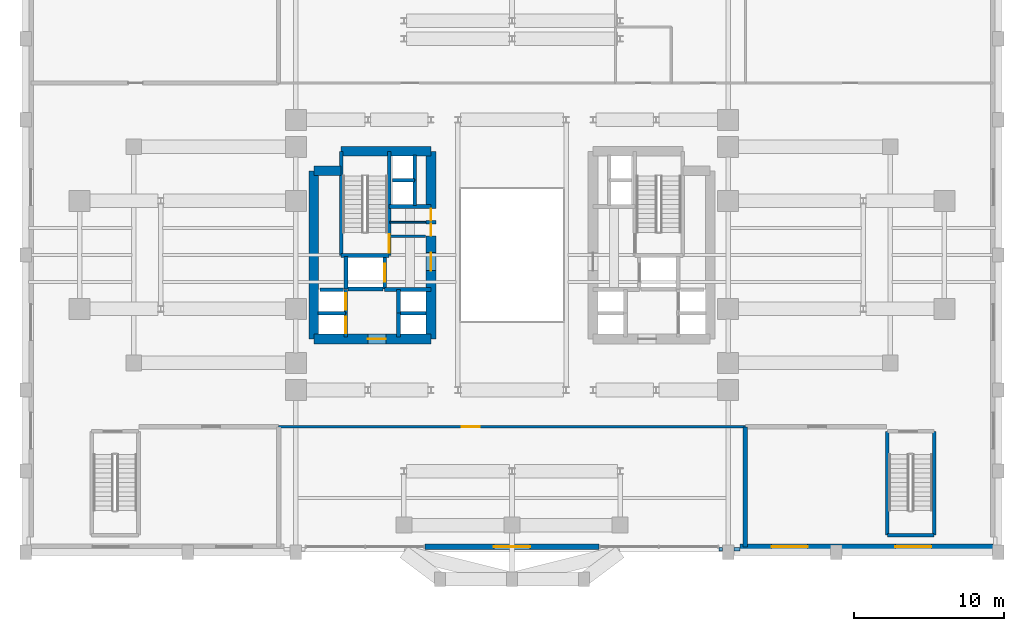
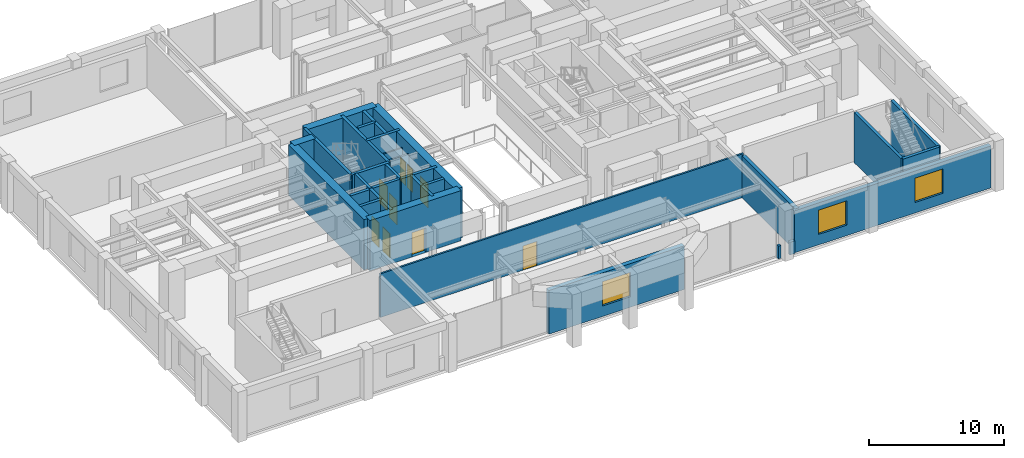
# One storey, part 10 of 14: 34 walls, 9 doors, 3 windows, 12 openings.
"""IFC4 building model written with IfcOpenShell, lengths in metres."""

from ifc_helpers import new_model, si_unit, direction, frame, frame_2d, origin, place, context, subcontext, project, spatial, rectangle, extrude, source, transform, mapped, material, layer, layer_set, type_object, element, fill, save


model = new_model("IFC4")

# Units and contexts
model_context = context("Model", 3, precision=1e-05, world=origin(), true_north=direction((0.0, 1.0)))
body_context = subcontext(model_context, "Body", "Model", "MODEL_VIEW")
ifc_project = project(units=[si_unit("LENGTHUNIT", "METRE"), si_unit("AREAUNIT", "SQUARE_METRE"), si_unit("VOLUMEUNIT", "CUBIC_METRE"), si_unit("PLANEANGLEUNIT", "RADIAN"), si_unit("MASSUNIT", "GRAM", prefix="KILO")], contexts=[model_context])

# Site, building, storey
site_placement = place(None, origin())
site = spatial("IfcSite", under=ifc_project, at=site_placement, CompositionType="ELEMENT")
building_placement = place(site_placement, origin())
building = spatial("IfcBuilding", under=site, at=building_placement, Name="Keilestroom Media Tower", CompositionType="ELEMENT")
storey_placement = place(building_placement, frame((0.0, 0.0, 15.60009765625)))
storey = spatial("IfcBuildingStorey", under=building, at=storey_placement, Name="L03", CompositionType="ELEMENT", Elevation=15.60009765625)

# Wall
ifc_material_1 = material(Name="Concrete C45/55", Category="concrete")
ifc_layer_1 = layer(ifc_material_1, 0.300048828125)
ifc_layer_set_1 = layer_set([ifc_layer_1], Name="Concrete C45/55")
wall_type_1 = type_object("IfcWallType", Name="Acoustic-Studio-Isolation-Wall-300", PredefinedType="SOLIDWALL", material=ifc_layer_set_1)
wall_1_placement = place(storey_placement, frame((15.550048828125, -19.449951171875, 0.0), z_axis=(0.0, 0.0, 1.0), x_axis=(0.0, 1.0, 0.0)))
element("IfcWall", 1, at=wall_1_placement, inside=storey, type_object=wall_type_1, Name="L03 Interior Wall WP-L03-STD-SE-W", PredefinedType="SOLIDWALL", context=body_context, shape_type="SweptSolid", body=[
    extrude(rectangle(XDim=8.0, YDim=0.300048828125, at=frame_2d((4.0, 0.0))), origin(), (0.0, 0.0, 1.0), 3.7998046875),
])

# Wall, openings, windows
ifc_material_2 = material(Name="Precast concrete C40/50", Category="concrete")
ifc_layer_2 = layer(ifc_material_2, 0.3798828125)
ifc_layer_set_2 = layer_set([ifc_layer_2], Name="Precast concrete C40/50")
wall_type_2 = type_object("IfcWallType", Name="Exterior-Masonry-Spandrel-Wall-380", PredefinedType="SOLIDWALL", material=ifc_layer_set_2)
wall_2_placement = place(storey_placement, frame((15.199951171875, -19.449951171875, 0.0), z_axis=(0.0, 0.0, 1.0), x_axis=(1.0, 0.0, 0.0)))
wall_2 = element("IfcWall", 2, at=wall_2_placement, inside=storey, type_object=wall_type_2, Name="L03 Podium Precast Masonry Wall EWL-L03-S-E", PredefinedType="SOLIDWALL", context=body_context, shape_type="SweptSolid", body=[
    extrude(rectangle(XDim=16.85009765625, YDim=0.3798828125, at=frame_2d((8.425048828125, 0.0))), origin(), (0.0, 0.0, 1.0), 3.7998046875),
])
opening_1_placement = place(wall_2_placement, frame((2.087890625, 0.0, 0.949951171875)))
opening_1 = element("IfcOpeningElement", 3, at=opening_1_placement, cuts=wall_2, Name="Opening WN-02", PredefinedType="OPENING", context=body_context, shape_type="SweptSolid", body=[
    extrude(rectangle(XDim=2.39990234375, YDim=2.199951171875, at=frame_2d((1.199951171875, 1.10009765625))), frame((0.0, 0.199951171875, 0.0), z_axis=(0.0, -1.0, 0.0), x_axis=(1.0, 0.0, 0.0)), (0.0, 0.0, 1.0), 0.39990234375),
])
opening_2_placement = place(wall_2_placement, frame((10.337890625, 0.0, 0.949951171875)))
opening_2 = element("IfcOpeningElement", 4, at=opening_2_placement, cuts=wall_2, Name="Opening WN-02", PredefinedType="OPENING", context=body_context, shape_type="SweptSolid", body=[
    extrude(rectangle(XDim=2.39990234375, YDim=2.199951171875, at=frame_2d((1.199951171875, 1.10009765625))), frame((0.0, 0.199951171875, 0.0), z_axis=(0.0, -1.0, 0.0), x_axis=(1.0, 0.0, 0.0)), (0.0, 0.0, 1.0), 0.39990234375),
])
ifc_material_3 = material(Name="Triple Glazed Low-E Window Unit", Category="glass")
window_type = type_object("IfcWindowType", Name="Recessed-Punched-Window-WN-02", PartitioningType="DOUBLE_PANEL_VERTICAL", PredefinedType="WINDOW", material=ifc_material_3)
shared_shape_1 = source(origin(), body_context, "Body", "SweptSolid", [
    extrude(rectangle(XDim=2.39990234375, YDim=2.199951171875, at=frame_2d((1.199951171875, 1.10009765625))), frame((0.0, 0.030029296875, 0.0), z_axis=(0.0, -1.0, 0.0), x_axis=(1.0, 0.0, 0.0)), (0.0, 0.0, 1.0), 0.06005859375),
])
window_1_placement = place(opening_1_placement, origin())
window_1 = element("IfcWindow", 5, at=window_1_placement, inside=storey, type_object=window_type, Name="L03 Window WN-02 EWL-L03-S-E-1", OverallHeight=2.199951171875, OverallWidth=2.39990234375, PartitioningType="SINGLE_PANEL", PredefinedType="WINDOW", context=body_context, shape_type="MappedRepresentation", body=[
    mapped(shared_shape_1, transform((0.0, 0.0, 0.0), x_axis=(1.0, 0.0, 0.0), y_axis=(0.0, 1.0, 0.0), z_axis=(0.0, 0.0, 1.0), scale=1.0)),
])
fill(opening_1, window_1)
window_2_placement = place(opening_2_placement, origin())
window_2 = element("IfcWindow", 6, at=window_2_placement, inside=storey, type_object=window_type, Name="L03 Window WN-02 EWL-L03-S-E-2", OverallHeight=2.199951171875, OverallWidth=2.39990234375, PartitioningType="SINGLE_PANEL", PredefinedType="WINDOW", context=body_context, shape_type="MappedRepresentation", body=[
    mapped(shared_shape_1, transform((0.0, 0.0, 0.0), x_axis=(1.0, 0.0, 0.0), y_axis=(0.0, 1.0, 0.0), z_axis=(0.0, 0.0, 1.0), scale=1.0)),
])
fill(opening_2, window_2)

# Wall, opening, window
wall_3_placement = place(storey_placement, frame((-5.804931640625, -19.449951171875, 0.0), z_axis=(0.0, 0.0, 1.0), x_axis=(1.0, 0.0, 0.0)))
wall_3 = element("IfcWall", 7, at=wall_3_placement, inside=storey, type_object=wall_type_2, Name="L03 Podium Precast Masonry Wall EWL-L03-S-C-1", PredefinedType="SOLIDWALL", context=body_context, shape_type="SweptSolid", body=[
    extrude(rectangle(XDim=11.60986328125, YDim=0.3798828125, at=frame_2d((5.804931640625, 0.0))), origin(), (0.0, 0.0, 1.0), 3.949951171875),
])
opening_3_placement = place(wall_3_placement, frame((4.60498046875, 0.0, 0.949951171875)))
opening_3 = element("IfcOpeningElement", 8, at=opening_3_placement, cuts=wall_3, Name="Opening WN-02", PredefinedType="OPENING", context=body_context, shape_type="SweptSolid", body=[
    extrude(rectangle(XDim=2.39990234375, YDim=2.199951171875, at=frame_2d((1.199951171875, 1.10009765625))), frame((0.0, 0.199951171875, 0.0), z_axis=(0.0, -1.0, 0.0), x_axis=(1.0, 0.0, 0.0)), (0.0, 0.0, 1.0), 0.39990234375),
])
window_3_placement = place(opening_3_placement, origin())
window_3 = element("IfcWindow", 9, at=window_3_placement, inside=storey, type_object=window_type, Name="L03 Window WN-02 EWL-L03-S-C-1-1", OverallHeight=2.199951171875, OverallWidth=2.39990234375, PartitioningType="SINGLE_PANEL", PredefinedType="WINDOW", context=body_context, shape_type="MappedRepresentation", body=[
    mapped(shared_shape_1, transform((0.0, 0.0, 0.0), x_axis=(1.0, 0.0, 0.0), y_axis=(0.0, 1.0, 0.0), z_axis=(0.0, 0.0, 1.0), scale=1.0)),
])
fill(opening_3, window_3)

# Walls
ifc_material_4 = material(Name="Gypsum Plasterboard & Steel Stud", Category="steel")
ifc_layer_3 = layer(ifc_material_4, 0.1201171875)
ifc_layer_set_3 = layer_set([ifc_layer_3], Name="Gypsum Plasterboard & Steel Stud")
wall_type_3 = type_object("IfcWallType", Name="Interior-Partition-Wall-120", PredefinedType="PARTITIONING", material=ifc_layer_set_3)
wall_4_placement = place(storey_placement, frame((-8.139892578125, 2.179931640625, 0.0), z_axis=(0.0, 0.0, 1.0), x_axis=(1.0, 0.0, 0.0)))
element("IfcWall", 10, at=wall_4_placement, inside=storey, type_object=wall_type_3, Name="L03 Interior Wall WP-L03-CNW-N", PredefinedType="PARTITIONING", context=body_context, shape_type="SweptSolid", body=[
    extrude(rectangle(XDim=2.389892578125, YDim=0.1201171875, at=frame_2d((1.19482421875, 0.0))), origin(), (0.0, 0.0, 1.0), 3.64990234375),
])
ifc_layer_4 = layer(ifc_material_4, 0.14990234375)
ifc_layer_set_4 = layer_set([ifc_layer_4], Name="Gypsum Plasterboard & Steel Stud")
wall_type_4 = type_object("IfcWallType", Name="Interior-Partition-Wall-150", PredefinedType="PARTITIONING", material=ifc_layer_set_4)
wall_5_placement = place(storey_placement, frame((-8.139892578125, 1.239990234375, 0.0), z_axis=(0.0, 0.0, 1.0), x_axis=(1.0, 0.0, 0.0)))
element("IfcWall", 11, at=wall_5_placement, inside=storey, type_object=wall_type_4, Name="L03 Interior Wall WP-L03-FFW-TOP", PredefinedType="PARTITIONING", context=body_context, shape_type="SweptSolid", body=[
    extrude(rectangle(XDim=2.389892578125, YDim=0.14990234375, at=frame_2d((1.19482421875, 0.0))), origin(), (0.0, 0.0, 1.0), 3.64990234375),
])

# Wall, opening, door
wall_6_placement = place(storey_placement, frame((-15.550048828125, -11.449951171875, 0.0), z_axis=(0.0, 0.0, 1.0), x_axis=(1.0, 0.0, 0.0)))
wall_6 = element("IfcWall", 12, at=wall_6_placement, inside=storey, type_object=wall_type_4, Name="L03 Interior Wall WP-L03-ARCH-S-N", PredefinedType="PARTITIONING", context=body_context, shape_type="SweptSolid", body=[
    extrude(rectangle(XDim=31.10009765625, YDim=0.14990234375, at=frame_2d((15.550048828125, 0.0))), origin(), (0.0, 0.0, 1.0), 3.949951171875),
])
opening_4_placement = place(wall_6_placement, frame((12.199951171875, 0.0, 0.0)))
opening_4 = element("IfcOpeningElement", 13, at=opening_4_placement, cuts=wall_6, Name="Opening DI-02", PredefinedType="OPENING", context=body_context, shape_type="SweptSolid", body=[
    extrude(rectangle(XDim=1.199951171875, YDim=2.199951171875, at=frame_2d((0.60009765625, 1.10009765625))), frame((0.0, 0.0849609375, 0.0), z_axis=(0.0, -1.0, 0.0), x_axis=(1.0, 0.0, 0.0)), (0.0, 0.0, 1.0), 0.169921875),
])
ifc_material_5 = material(Name="Powder-Coated Steel Fire Leaf", Category="steel")
door_type_1 = type_object("IfcDoorType", Name="Interior-Compartment-Fire-Door-DI-02", OperationType="NOTDEFINED", PredefinedType="DOOR", material=ifc_material_5)
shared_shape_2 = source(origin(), body_context, "Body", "SweptSolid", [
    extrude(rectangle(XDim=1.199951171875, YDim=2.199951171875, at=frame_2d((0.60009765625, 1.10009765625))), frame((0.0, 0.02490234375, 0.0), z_axis=(0.0, -1.0, 0.0), x_axis=(1.0, 0.0, 0.0)), (0.0, 0.0, 1.0), 0.050048828125),
])
door_1_placement = place(opening_4_placement, origin())
door_1 = element("IfcDoor", 14, at=door_1_placement, inside=storey, type_object=door_type_1, Name="L03 Interior Door DI-L03-ARCH-S-D", OperationType="SINGLE_SWING_LEFT", OverallHeight=2.199951171875, OverallWidth=1.199951171875, PredefinedType="DOOR", context=body_context, shape_type="MappedRepresentation", body=[
    mapped(shared_shape_2, transform((0.0, 0.0, 0.0), x_axis=(1.0, 0.0, 0.0), y_axis=(0.0, 1.0, 0.0), z_axis=(0.0, 0.0, 1.0), scale=1.0)),
])
fill(opening_4, door_1)

# Wall
ifc_material_6 = material(Name="Concrete C70/85", Category="concrete")
ifc_layer_5 = layer(ifc_material_6, 0.64990234375)
ifc_layer_set_5 = layer_set([ifc_layer_5], Name="Concrete C70/85")
wall_type_5 = type_object("IfcWallType", Name="Reinforced-Concrete-Core-Shear-Wall-650", PredefinedType="SHEAR", material=ifc_layer_set_5)
wall_7_placement = place(storey_placement, frame((-13.199951171875, -5.60009765625, 0.0), z_axis=(0.0, 0.0, 1.0), x_axis=(0.0, 1.0, 0.0)))
element("IfcWall", 15, at=wall_7_placement, inside=storey, type_object=wall_type_5, Name="L03 Core Shear Wall WL-L03-CORE-W-OUT", PredefinedType="SHEAR", context=body_context, shape_type="SweptSolid", body=[
    extrude(rectangle(XDim=11.2001953125, YDim=0.64990234375, at=frame_2d((5.60009765625, 0.0))), origin(), (0.0, 0.0, 1.0), 4.5498046875),
])

# Wall, openings, doors
wall_8_placement = place(storey_placement, frame((-5.39990234375, -5.60009765625, 0.0), z_axis=(0.0, 0.0, 1.0), x_axis=(0.0, 1.0, 0.0)))
wall_8 = element("IfcWall", 16, at=wall_8_placement, inside=storey, type_object=wall_type_5, Name="L03 Core Shear Wall WL-L03-CORE-W-IN", PredefinedType="SHEAR", context=body_context, shape_type="SweptSolid", body=[
    extrude(rectangle(XDim=12.5, YDim=0.64990234375, at=frame_2d((6.25, 0.0))), origin(), (0.0, 0.0, 1.0), 4.5498046875),
])
opening_5_placement = place(wall_8_placement, frame((4.550048828125, 0.0, 0.0)))
opening_5 = element("IfcOpeningElement", 17, at=opening_5_placement, cuts=wall_8, Name="Opening DI-02", PredefinedType="OPENING", context=body_context, shape_type="SweptSolid", body=[
    extrude(rectangle(XDim=1.199951171875, YDim=2.199951171875, at=frame_2d((0.60009765625, 1.10009765625))), frame((0.0, 0.3349609375, 0.0), z_axis=(0.0, -1.0, 0.0), x_axis=(1.0, 0.0, 0.0)), (0.0, 0.0, 1.0), 0.669921875),
])
opening_6_placement = place(wall_8_placement, frame((6.860107421875, 0.0, 0.0)))
opening_6 = element("IfcOpeningElement", 18, at=opening_6_placement, cuts=wall_8, Name="Opening DI-06", PredefinedType="OPENING", context=body_context, shape_type="SweptSolid", body=[
    extrude(rectangle(XDim=0.800048828125, YDim=2.10009765625, at=frame_2d((0.39990234375, 1.050048828125))), frame((0.0, 0.3349609375, 0.0), z_axis=(0.0, -1.0, 0.0), x_axis=(1.0, 0.0, 0.0)), (0.0, 0.0, 1.0), 0.669921875),
])
opening_7_placement = place(wall_8_placement, frame((7.8798828125, 0.0, 0.0)))
opening_7 = element("IfcOpeningElement", 19, at=opening_7_placement, cuts=wall_8, Name="Opening DI-06", PredefinedType="OPENING", context=body_context, shape_type="SweptSolid", body=[
    extrude(rectangle(XDim=0.800048828125, YDim=2.10009765625, at=frame_2d((0.39990234375, 1.050048828125))), frame((0.0, 0.3349609375, 0.0), z_axis=(0.0, -1.0, 0.0), x_axis=(1.0, 0.0, 0.0)), (0.0, 0.0, 1.0), 0.669921875),
])
door_2_placement = place(opening_5_placement, origin())
door_2 = element("IfcDoor", 20, at=door_2_placement, inside=storey, type_object=door_type_1, Name="L03 W Firefighting Lobby Door", OperationType="SINGLE_SWING_RIGHT", OverallHeight=2.199951171875, OverallWidth=1.199951171875, PredefinedType="DOOR", context=body_context, shape_type="MappedRepresentation", body=[
    mapped(shared_shape_2, transform((0.0, 0.0, 0.0), x_axis=(1.0, 0.0, 0.0), y_axis=(0.0, 1.0, 0.0), z_axis=(0.0, 0.0, 1.0), scale=1.0)),
])
fill(opening_5, door_2)
ifc_material_7 = material(Name="Powder-Coated Steel Service Leaf", Category="steel")
door_type_2 = type_object("IfcDoorType", Name="Interior-Riser-Access-Door-DI-06", OperationType="NOTDEFINED", PredefinedType="DOOR", material=ifc_material_7)
shared_shape_3 = source(origin(), body_context, "Body", "SweptSolid", [
    extrude(rectangle(XDim=0.800048828125, YDim=2.10009765625, at=frame_2d((0.39990234375, 1.050048828125))), frame((0.0, 0.02490234375, 0.0), z_axis=(0.0, -1.0, 0.0), x_axis=(1.0, 0.0, 0.0)), (0.0, 0.0, 1.0), 0.050048828125),
])
door_3_placement = place(opening_6_placement, origin())
door_3 = element("IfcDoor", 21, at=door_3_placement, inside=storey, type_object=door_type_2, Name="L03 West Core Switchroom Door", OperationType="SINGLE_SWING_LEFT", OverallHeight=2.10009765625, OverallWidth=0.800048828125, PredefinedType="DOOR", context=body_context, shape_type="MappedRepresentation", body=[
    mapped(shared_shape_3, transform((0.0, 0.0, 0.0), x_axis=(1.0, 0.0, 0.0), y_axis=(0.0, 1.0, 0.0), z_axis=(0.0, 0.0, 1.0), scale=1.0)),
])
fill(opening_6, door_3)
door_4_placement = place(opening_7_placement, origin())
door_4 = element("IfcDoor", 22, at=door_4_placement, inside=storey, type_object=door_type_2, Name="L03 West Core Closet Door", OperationType="SINGLE_SWING_LEFT", OverallHeight=2.10009765625, OverallWidth=0.800048828125, PredefinedType="DOOR", context=body_context, shape_type="MappedRepresentation", body=[
    mapped(shared_shape_3, transform((0.0, 0.0, 0.0), x_axis=(1.0, 0.0, 0.0), y_axis=(0.0, 1.0, 0.0), z_axis=(0.0, 0.0, 1.0), scale=1.0)),
])
fill(opening_7, door_4)

# Walls
wall_9_placement = place(storey_placement, frame((-11.381103515625, 6.89990234375, 0.0), z_axis=(0.0, 0.0, 1.0), x_axis=(1.0, 0.0, 0.0)))
element("IfcWall", 23, at=wall_9_placement, inside=storey, type_object=wall_type_5, Name="L03 Core Shear Wall WL-L03-CORE-W-N", PredefinedType="SHEAR", context=body_context, shape_type="SweptSolid", body=[
    extrude(rectangle(XDim=5.981201171875, YDim=0.64990234375, at=frame_2d((2.99072265625, 0.0))), origin(), (0.0, 0.0, 1.0), 4.5498046875),
])
wall_10_placement = place(storey_placement, frame((-13.199951171875, 5.60009765625, 0.0), z_axis=(0.0, 0.0, 1.0), x_axis=(1.0, 0.0, 0.0)))
element("IfcWall", 24, at=wall_10_placement, inside=storey, type_object=wall_type_5, Name="L03 Core Shear Wall WL-L03-CNW-N", PredefinedType="SHEAR", context=body_context, shape_type="SweptSolid", body=[
    extrude(rectangle(XDim=1.81884765625, YDim=0.64990234375, at=frame_2d((0.909423828125, 0.0))), origin(), (0.0, 0.0, 1.0), 4.5498046875),
])

# Wall, opening, door
wall_11_placement = place(storey_placement, frame((-13.199951171875, -5.60009765625, 0.0), z_axis=(0.0, 0.0, 1.0), x_axis=(1.0, 0.0, 0.0)))
wall_11 = element("IfcWall", 25, at=wall_11_placement, inside=storey, type_object=wall_type_5, Name="L03 Core Shear Wall WL-L03-CORE-W-S", PredefinedType="SHEAR", context=body_context, shape_type="SweptSolid", body=[
    extrude(rectangle(XDim=7.800048828125, YDim=0.64990234375, at=frame_2d((3.89990234375, 0.0))), origin(), (0.0, 0.0, 1.0), 4.5498046875),
])
opening_8_placement = place(wall_11_placement, frame((3.60009765625, 0.0, 0.0)))
opening_8 = element("IfcOpeningElement", 26, at=opening_8_placement, cuts=wall_11, Name="Opening DI-02", PredefinedType="OPENING", context=body_context, shape_type="SweptSolid", body=[
    extrude(rectangle(XDim=1.199951171875, YDim=2.199951171875, at=frame_2d((0.60009765625, 1.10009765625))), frame((0.0, 0.3349609375, 0.0), z_axis=(0.0, -1.0, 0.0), x_axis=(1.0, 0.0, 0.0)), (0.0, 0.0, 1.0), 0.669921875),
])
door_5_placement = place(opening_8_placement, origin())
door_5 = element("IfcDoor", 27, at=door_5_placement, inside=storey, type_object=door_type_1, Name="L03 W Passenger Lift Lobby Door", OperationType="SINGLE_SWING_LEFT", OverallHeight=2.199951171875, OverallWidth=1.199951171875, PredefinedType="DOOR", context=body_context, shape_type="MappedRepresentation", body=[
    mapped(shared_shape_2, transform((0.0, 0.0, 0.0), x_axis=(1.0, 0.0, 0.0), y_axis=(0.0, 1.0, 0.0), z_axis=(0.0, 0.0, 1.0), scale=1.0)),
])
fill(opening_8, door_5)

# Walls
ifc_material_8 = material(Name="Concrete C50/60", Category="concrete")
ifc_layer_6 = layer(ifc_material_8, 0.25)
ifc_layer_set_6 = layer_set([ifc_layer_6], Name="Concrete C50/60")
wall_type_6 = type_object("IfcWallType", Name="Reinforced-Concrete-Shaft-Wall-250", PredefinedType="SOLIDWALL", material=ifc_layer_set_6)
wall_12_placement = place(storey_placement, frame((-8.179931640625, 3.219970703125, 0.0), z_axis=(0.0, 0.0, 1.0), x_axis=(1.0, 0.0, 0.0)))
element("IfcWall", 28, at=wall_12_placement, inside=storey, type_object=wall_type_6, Name="L03 Core Shear Wall WL-L03-CORE-W-FFN", PredefinedType="SOLIDWALL", context=body_context, shape_type="SweptSolid", body=[
    extrude(rectangle(XDim=2.780029296875, YDim=0.25, at=frame_2d((1.39013671875, 0.0))), origin(), (0.0, 0.0, 1.0), 4.5498046875),
])
wall_13_placement = place(storey_placement, frame((-8.47998046875, -2.300048828125, 0.0), z_axis=(0.0, 0.0, 1.0), x_axis=(1.0, 0.0, 0.0)))
element("IfcWall", 29, at=wall_13_placement, inside=storey, type_object=wall_type_6, Name="L03 Core Shear Wall WL-L03-CORE-W-FFS", PredefinedType="SOLIDWALL", context=body_context, shape_type="SweptSolid", body=[
    extrude(rectangle(XDim=3.080078125, YDim=0.25, at=frame_2d((1.5400390625, 0.0))), origin(), (0.0, 0.0, 1.0), 4.5498046875),
])

# Wall, opening, door
wall_14_placement = place(storey_placement, frame((-8.178955078125, -0.041015625, 0.0), z_axis=(0.0, 0.0, 1.0), x_axis=(0.0, 1.0, 0.0)))
wall_14 = element("IfcWall", 30, at=wall_14_placement, inside=storey, type_object=wall_type_6, Name="L03 Core Shear Wall WL-L03-STW-W-NEAR", PredefinedType="SOLIDWALL", context=body_context, shape_type="SweptSolid", body=[
    extrude(rectangle(XDim=6.94091796875, YDim=0.25, at=frame_2d((3.470458984375, 0.0))), origin(), (0.0, 0.0, 1.0), 4.5498046875),
])
opening_9_placement = place(wall_14_placement, frame((0.199951171875, 0.0, 0.0)))
opening_9 = element("IfcOpeningElement", 31, at=opening_9_placement, cuts=wall_14, Name="Opening DI-01S", PredefinedType="OPENING", context=body_context, shape_type="SweptSolid", body=[
    extrude(rectangle(XDim=1.199951171875, YDim=2.199951171875, at=frame_2d((0.60009765625, 1.10009765625))), frame((0.0, 0.135009765625, 0.0), z_axis=(0.0, -1.0, 0.0), x_axis=(1.0, 0.0, 0.0)), (0.0, 0.0, 1.0), 0.27001953125),
])
door_type_3 = type_object("IfcDoorType", Name="Interior-Stair-And-Core-Fire-Door-DI-01", OperationType="NOTDEFINED", PredefinedType="DOOR", material=ifc_material_5)
door_6_placement = place(opening_9_placement, origin())
door_6 = element("IfcDoor", 32, at=door_6_placement, inside=storey, type_object=door_type_3, Name="L03 Escape Stair ST-1 Fire Door", OperationType="SINGLE_SWING_LEFT", OverallHeight=2.199951171875, OverallWidth=1.199951171875, PredefinedType="DOOR", context=body_context, shape_type="MappedRepresentation", body=[
    mapped(shared_shape_2, transform((0.0, 0.0, 0.0), x_axis=(1.0, 0.0, 0.0), y_axis=(0.0, 1.0, 0.0), z_axis=(0.0, 0.0, 1.0), scale=1.0)),
])
fill(opening_9, door_6)

# Walls
wall_15_placement = place(storey_placement, frame((-11.381103515625, -0.041015625, 0.0), z_axis=(0.0, 0.0, 1.0), x_axis=(0.0, 1.0, 0.0)))
element("IfcWall", 33, at=wall_15_placement, inside=storey, type_object=wall_type_6, Name="L03 Core Shear Wall WL-L03-STW-W-FAR", PredefinedType="SOLIDWALL", context=body_context, shape_type="SweptSolid", body=[
    extrude(rectangle(XDim=6.94091796875, YDim=0.25, at=frame_2d((3.470458984375, 0.0))), origin(), (0.0, 0.0, 1.0), 4.5498046875),
])
wall_16_placement = place(storey_placement, frame((-11.381103515625, -0.041015625, 0.0), z_axis=(0.0, 0.0, 1.0), x_axis=(1.0, 0.0, 0.0)))
element("IfcWall", 34, at=wall_16_placement, inside=storey, type_object=wall_type_6, Name="L03 Core Shear Wall WL-L03-STW-W-S", PredefinedType="SOLIDWALL", context=body_context, shape_type="SweptSolid", body=[
    extrude(rectangle(XDim=3.2021484375, YDim=0.25, at=frame_2d((1.60107421875, 0.0))), origin(), (0.0, 0.0, 1.0), 4.5498046875),
])
for number, where, z_axis, x_axis, name in (
    (35, (24.9990234375, -18.6708984375, 0.0), (0.0, 0.0, 1.0), (0.0, 1.0, 0.0), "L03 Core Shear Wall WL-L03-ST-4-W"),
    (36, (28.12109375, -18.6708984375, 0.0), (0.0, 0.0, 1.0), (0.0, 1.0, 0.0), "L03 Core Shear Wall WL-L03-ST-4-E"),
):
    element("IfcWall", number, at=place(storey_placement, frame(where, z_axis=z_axis, x_axis=x_axis)), inside=storey, type_object=wall_type_6, Name=name, PredefinedType="SOLIDWALL", context=body_context, shape_type="SweptSolid", body=[
        extrude(rectangle(XDim=6.921875, YDim=0.25, at=frame_2d((3.4609375, 0.0))), origin(), (0.0, 0.0, 1.0), 4.5498046875),
    ])
wall_17_placement = place(storey_placement, frame((24.9990234375, -18.6708984375, 0.0), z_axis=(0.0, 0.0, 1.0), x_axis=(1.0, 0.0, 0.0)))
element("IfcWall", 37, at=wall_17_placement, inside=storey, type_object=wall_type_6, Name="L03 Core Shear Wall WL-L03-ST-4-S", PredefinedType="SOLIDWALL", context=body_context, shape_type="SweptSolid", body=[
    extrude(rectangle(XDim=3.1220703125, YDim=0.25, at=frame_2d((1.56103515625, 0.0))), origin(), (0.0, 0.0, 1.0), 4.5498046875),
])
wall_18_placement = place(storey_placement, frame((-11.050048828125, -2.280029296875, 0.0), z_axis=(0.0, 0.0, 1.0), x_axis=(0.0, 1.0, 0.0)))
element("IfcWall", 38, at=wall_18_placement, inside=storey, type_object=wall_type_6, Name="L03 Core Shear Wall WL-L03-LSH-FFL-1-W", PredefinedType="SOLIDWALL", context=body_context, shape_type="SweptSolid", body=[
    extrude(rectangle(XDim=2.179931640625, YDim=0.25, at=frame_2d((1.08984375, 0.0))), origin(), (0.0, 0.0, 1.0), 4.5498046875),
])

# Wall, opening, door
wall_19_placement = place(storey_placement, frame((-8.47998046875, -2.280029296875, 0.0), z_axis=(0.0, 0.0, 1.0), x_axis=(0.0, 1.0, 0.0)))
wall_19 = element("IfcWall", 39, at=wall_19_placement, inside=storey, type_object=wall_type_6, Name="L03 Core Shear Wall WL-L03-LSH-FFL-1-E", PredefinedType="SOLIDWALL", context=body_context, shape_type="SweptSolid", body=[
    extrude(rectangle(XDim=2.179931640625, YDim=0.25, at=frame_2d((1.08984375, 0.0))), origin(), (0.0, 0.0, 1.0), 4.5498046875),
])
opening_10_placement = place(wall_19_placement, frame((0.489990234375, 0.0, 0.0)))
opening_10 = element("IfcOpeningElement", 40, at=opening_10_placement, cuts=wall_19, Name="Opening LD-02", PredefinedType="OPENING", context=body_context, shape_type="SweptSolid", body=[
    extrude(rectangle(XDim=1.199951171875, YDim=2.199951171875, at=frame_2d((0.60009765625, 1.10009765625))), frame((0.0, 0.135009765625, 0.0), z_axis=(0.0, -1.0, 0.0), x_axis=(1.0, 0.0, 0.0)), (0.0, 0.0, 1.0), 0.27001953125),
])
ifc_material_9 = material(Name="Brushed Stainless Steel Sliding Leaf", Category="steel")
door_type_4 = type_object("IfcDoorType", Name="Lift-Landing-Sliding-Door-LD-02", OperationType="SLIDING_TO_RIGHT", PredefinedType="DOOR", material=ifc_material_9)
door_7_placement = place(opening_10_placement, origin())
door_7 = element("IfcDoor", 41, at=door_7_placement, inside=storey, type_object=door_type_4, Name="L03 Lift FFL-1 Landing Sliding Door", OperationType="SLIDING_TO_RIGHT", OverallHeight=2.199951171875, OverallWidth=1.199951171875, PredefinedType="DOOR", context=body_context, shape_type="MappedRepresentation", body=[
    mapped(shared_shape_2, transform((0.0, 0.0, 0.0), x_axis=(1.0, 0.0, 0.0), y_axis=(0.0, 1.0, 0.0), z_axis=(0.0, 0.0, 1.0), scale=1.0)),
])
fill(opening_10, door_7)

# Wall
wall_20_placement = place(storey_placement, frame((-10.9208984375, -2.280029296875, 0.0), z_axis=(0.0, 0.0, 1.0), x_axis=(1.0, 0.0, 0.0)))
element("IfcWall", 42, at=wall_20_placement, inside=storey, type_object=wall_type_6, Name="L03 Core Shear Wall WL-L03-LSH-FFL-1-S", PredefinedType="SOLIDWALL", context=body_context, shape_type="SweptSolid", body=[
    extrude(rectangle(XDim=2.31201171875, YDim=0.25, at=frame_2d((1.156005859375, 0.0))), origin(), (0.0, 0.0, 1.0), 4.5498046875),
])

# Wall, opening, door
wall_21_placement = place(storey_placement, frame((-11.080078125, -5.47998046875, 0.0), z_axis=(0.0, 0.0, 1.0), x_axis=(0.0, 1.0, 0.0)))
wall_21 = element("IfcWall", 43, at=wall_21_placement, inside=storey, type_object=wall_type_6, Name="L03 Core Shear Wall WL-L03-LSH-PL-L1-E", PredefinedType="SOLIDWALL", context=body_context, shape_type="SweptSolid", body=[
    extrude(rectangle(XDim=1.60009765625, YDim=0.25, at=frame_2d((0.800048828125, 0.0))), origin(), (0.0, 0.0, 1.0), 4.5498046875),
])
opening_11_placement = place(wall_21_placement, frame((0.25, 0.0, 0.0)))
opening_11 = element("IfcOpeningElement", 44, at=opening_11_placement, cuts=wall_21, Name="Opening LD-01", PredefinedType="OPENING", context=body_context, shape_type="SweptSolid", body=[
    extrude(rectangle(XDim=1.10009765625, YDim=2.199951171875, at=frame_2d((0.550048828125, 1.10009765625))), frame((0.0, 0.135009765625, 0.0), z_axis=(0.0, -1.0, 0.0), x_axis=(1.0, 0.0, 0.0)), (0.0, 0.0, 1.0), 0.27001953125),
])
door_type_5 = type_object("IfcDoorType", Name="Lift-Landing-Sliding-Door-LD-01", OperationType="SLIDING_TO_LEFT", PredefinedType="DOOR", material=ifc_material_9)
shared_shape_4 = source(origin(), body_context, "Body", "SweptSolid", [
    extrude(rectangle(XDim=1.10009765625, YDim=2.199951171875, at=frame_2d((0.550048828125, 1.10009765625))), frame((0.0, 0.02490234375, 0.0), z_axis=(0.0, -1.0, 0.0), x_axis=(1.0, 0.0, 0.0)), (0.0, 0.0, 1.0), 0.050048828125),
])
door_8_placement = place(opening_11_placement, origin())
door_8 = element("IfcDoor", 45, at=door_8_placement, inside=storey, type_object=door_type_5, Name="L03 Lift PL-L1 Landing Sliding Door", OperationType="SLIDING_TO_LEFT", OverallHeight=2.199951171875, OverallWidth=1.10009765625, PredefinedType="DOOR", context=body_context, shape_type="MappedRepresentation", body=[
    mapped(shared_shape_4, transform((0.0, 0.0, 0.0), x_axis=(1.0, 0.0, 0.0), y_axis=(0.0, 1.0, 0.0), z_axis=(0.0, 0.0, 1.0), scale=1.0)),
])
fill(opening_11, door_8)

# Wall
wall_22_placement = place(storey_placement, frame((-12.919921875, -3.8798828125, 0.0), z_axis=(0.0, 0.0, 1.0), x_axis=(1.0, 0.0, 0.0)))
element("IfcWall", 46, at=wall_22_placement, inside=storey, type_object=wall_type_6, Name="L03 Core Shear Wall WL-L03-LSH-PL-L1-N", PredefinedType="SOLIDWALL", context=body_context, shape_type="SweptSolid", body=[
    extrude(rectangle(XDim=1.83984375, YDim=0.25, at=frame_2d((0.919921875, 0.0))), origin(), (0.0, 0.0, 1.0), 4.5498046875),
])

# Wall, opening, door
wall_23_placement = place(storey_placement, frame((-11.080078125, -3.8798828125, 0.0), z_axis=(0.0, 0.0, 1.0), x_axis=(0.0, 1.0, 0.0)))
wall_23 = element("IfcWall", 47, at=wall_23_placement, inside=storey, type_object=wall_type_6, Name="L03 Core Shear Wall WL-L03-LSH-PL-L2-E", PredefinedType="SOLIDWALL", context=body_context, shape_type="SweptSolid", body=[
    extrude(rectangle(XDim=1.559814453125, YDim=0.25, at=frame_2d((0.77978515625, 0.0))), origin(), (0.0, 0.0, 1.0), 4.5498046875),
])
opening_12_placement = place(wall_23_placement, frame((0.22998046875, 0.0, 0.0)))
opening_12 = element("IfcOpeningElement", 48, at=opening_12_placement, cuts=wall_23, Name="Opening LD-01", PredefinedType="OPENING", context=body_context, shape_type="SweptSolid", body=[
    extrude(rectangle(XDim=1.10009765625, YDim=2.199951171875, at=frame_2d((0.550048828125, 1.10009765625))), frame((0.0, 0.135009765625, 0.0), z_axis=(0.0, -1.0, 0.0), x_axis=(1.0, 0.0, 0.0)), (0.0, 0.0, 1.0), 0.27001953125),
])
door_9_placement = place(opening_12_placement, origin())
door_9 = element("IfcDoor", 49, at=door_9_placement, inside=storey, type_object=door_type_5, Name="L03 Lift PL-L2 Landing Sliding Door", OperationType="SLIDING_TO_LEFT", OverallHeight=2.199951171875, OverallWidth=1.10009765625, PredefinedType="DOOR", context=body_context, shape_type="MappedRepresentation", body=[
    mapped(shared_shape_4, transform((0.0, 0.0, 0.0), x_axis=(1.0, 0.0, 0.0), y_axis=(0.0, 1.0, 0.0), z_axis=(0.0, 0.0, 1.0), scale=1.0)),
])
fill(opening_12, door_9)

# Walls
wall_24_placement = place(storey_placement, frame((-12.791015625, -2.320068359375, 0.0), z_axis=(0.0, 0.0, 1.0), x_axis=(1.0, 0.0, 0.0)))
element("IfcWall", 50, at=wall_24_placement, inside=storey, type_object=wall_type_6, Name="L03 Core Shear Wall WL-L03-LSH-PL-L2-N", PredefinedType="SOLIDWALL", context=body_context, shape_type="SweptSolid", body=[
    extrude(rectangle(XDim=1.58203125, YDim=0.25, at=frame_2d((0.791015625, 0.0))), origin(), (0.0, 0.0, 1.0), 4.5498046875),
])
wall_25_placement = place(storey_placement, frame((-7.56005859375, -5.47998046875, 0.0), z_axis=(0.0, 0.0, 1.0), x_axis=(0.0, 1.0, 0.0)))
element("IfcWall", 51, at=wall_25_placement, inside=storey, type_object=wall_type_6, Name="L03 Core Shear Wall WL-L03-LSH-PL-M1-W", PredefinedType="SOLIDWALL", context=body_context, shape_type="SweptSolid", body=[
    extrude(rectangle(XDim=1.60009765625, YDim=0.25, at=frame_2d((0.800048828125, 0.0))), origin(), (0.0, 0.0, 1.0), 4.5498046875),
])
wall_26_placement = place(storey_placement, frame((-7.56005859375, -3.8798828125, 0.0), z_axis=(0.0, 0.0, 1.0), x_axis=(1.0, 0.0, 0.0)))
element("IfcWall", 52, at=wall_26_placement, inside=storey, type_object=wall_type_6, Name="L03 Core Shear Wall WL-L03-LSH-PL-M1-N", PredefinedType="SOLIDWALL", context=body_context, shape_type="SweptSolid", body=[
    extrude(rectangle(XDim=1.840087890625, YDim=0.25, at=frame_2d((0.919921875, 0.0))), origin(), (0.0, 0.0, 1.0), 4.5498046875),
])
wall_27_placement = place(storey_placement, frame((-7.56005859375, -3.8798828125, 0.0), z_axis=(0.0, 0.0, 1.0), x_axis=(0.0, 1.0, 0.0)))
element("IfcWall", 53, at=wall_27_placement, inside=storey, type_object=wall_type_6, Name="L03 Core Shear Wall WL-L03-LSH-PL-M2-W", PredefinedType="SOLIDWALL", context=body_context, shape_type="SweptSolid", body=[
    extrude(rectangle(XDim=1.559814453125, YDim=0.25, at=frame_2d((0.77978515625, 0.0))), origin(), (0.0, 0.0, 1.0), 4.5498046875),
])
wall_28_placement = place(storey_placement, frame((-6.47998046875, 3.300048828125, 0.0), z_axis=(0.0, 0.0, 1.0), x_axis=(0.0, 1.0, 0.0)))
element("IfcWall", 54, at=wall_28_placement, inside=storey, type_object=wall_type_6, Name="L03 Core Shear Wall WL-L03-LSH-PL-H1-E", PredefinedType="SOLIDWALL", context=body_context, shape_type="SweptSolid", body=[
    extrude(rectangle(XDim=1.679931640625, YDim=0.25, at=frame_2d((0.83984375, 0.0))), origin(), (0.0, 0.0, 1.0), 4.5498046875),
])
wall_29_placement = place(storey_placement, frame((-7.949951171875, 4.97998046875, 0.0), z_axis=(0.0, 0.0, 1.0), x_axis=(1.0, 0.0, 0.0)))
element("IfcWall", 55, at=wall_29_placement, inside=storey, type_object=wall_type_6, Name="L03 Core Shear Wall WL-L03-LSH-PL-H1-N", PredefinedType="SOLIDWALL", context=body_context, shape_type="SweptSolid", body=[
    extrude(rectangle(XDim=1.469970703125, YDim=0.25, at=frame_2d((0.73486328125, 0.0))), origin(), (0.0, 0.0, 1.0), 4.5498046875),
])
wall_30_placement = place(storey_placement, frame((-6.47998046875, 4.97998046875, 0.0), z_axis=(0.0, 0.0, 1.0), x_axis=(0.0, 1.0, 0.0)))
element("IfcWall", 56, at=wall_30_placement, inside=storey, type_object=wall_type_6, Name="L03 Core Shear Wall WL-L03-LSH-PL-H2-E", PredefinedType="SOLIDWALL", context=body_context, shape_type="SweptSolid", body=[
    extrude(rectangle(XDim=1.669921875, YDim=0.25, at=frame_2d((0.8349609375, 0.0))), origin(), (0.0, 0.0, 1.0), 4.5498046875),
])
ifc_layer_7 = layer(ifc_material_2, 0.239990234375)
ifc_layer_set_7 = layer_set([ifc_layer_7], Name="Precast concrete C40/50")
wall_type_7 = type_object("IfcWallType", Name="Roof-And-Terrace-Parapet-Wall-240", PredefinedType="PARAPET", material=ifc_layer_set_7)
wall_31_placement = place(storey_placement, frame((15.197021484375, -19.60009765625, 0.0), z_axis=(0.0, 0.0, 1.0), x_axis=(-1.0, 0.0, 0.0)))
element("IfcWall", 57, at=wall_31_placement, inside=storey, type_object=wall_type_7, Name="L03 Perimeter Edge Parapet Wall 08", PredefinedType="PARAPET", context=body_context, shape_type="SweptSolid", body=[
    extrude(rectangle(XDim=0.4189453125, YDim=0.239990234375, at=frame_2d((0.20947265625, 0.0))), origin(), (0.0, 0.0, 1.0), 1.14990234375),
])
wall_32_placement = place(storey_placement, frame((14.02197265625, -19.60009765625, 0.0), z_axis=(0.0, 0.0, 1.0), x_axis=(-1.0, 0.0, 0.0)))
element("IfcWall", 58, at=wall_32_placement, inside=storey, type_object=wall_type_7, Name="L03 Perimeter Edge Parapet Wall 09", PredefinedType="PARAPET", context=body_context, shape_type="SweptSolid", body=[
    extrude(rectangle(XDim=0.239013671875, YDim=0.239990234375, at=frame_2d((0.11962890625, 0.0))), origin(), (0.0, 0.0, 1.0), 1.14990234375),
])

save(model, "model.ifc")
